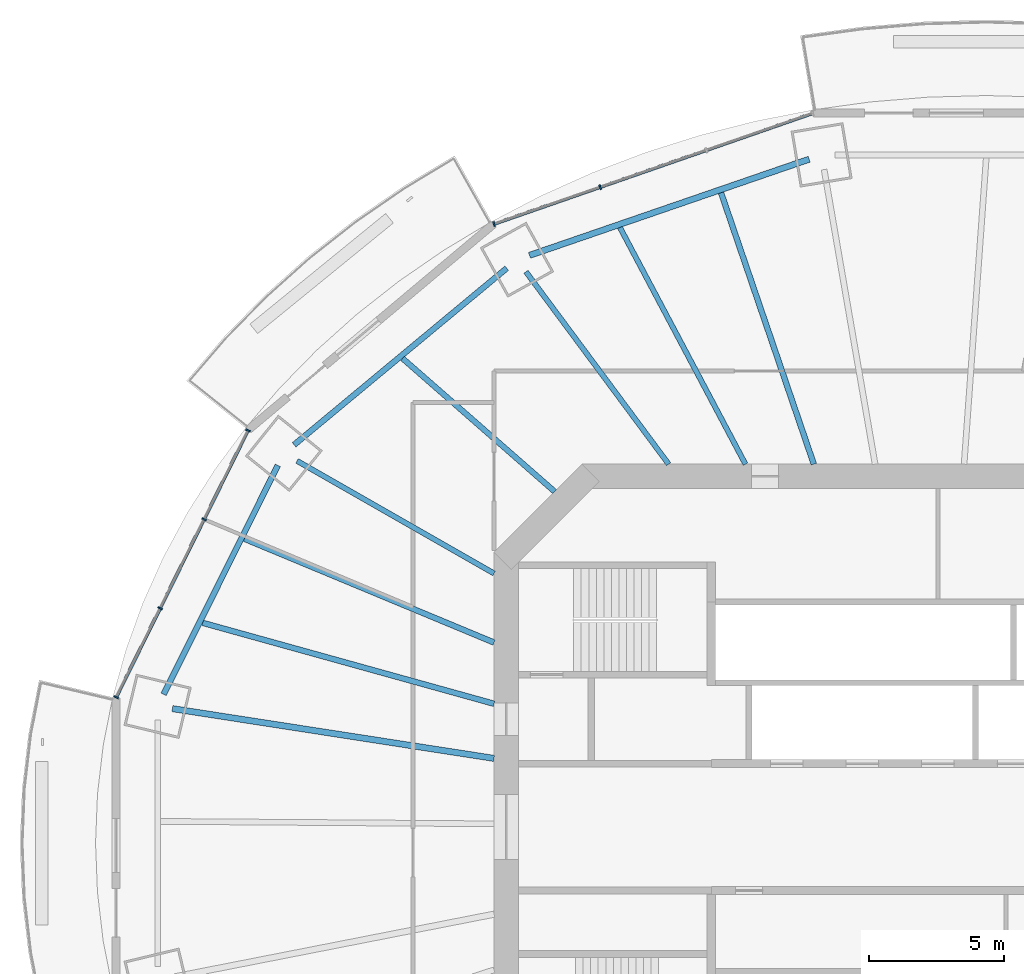
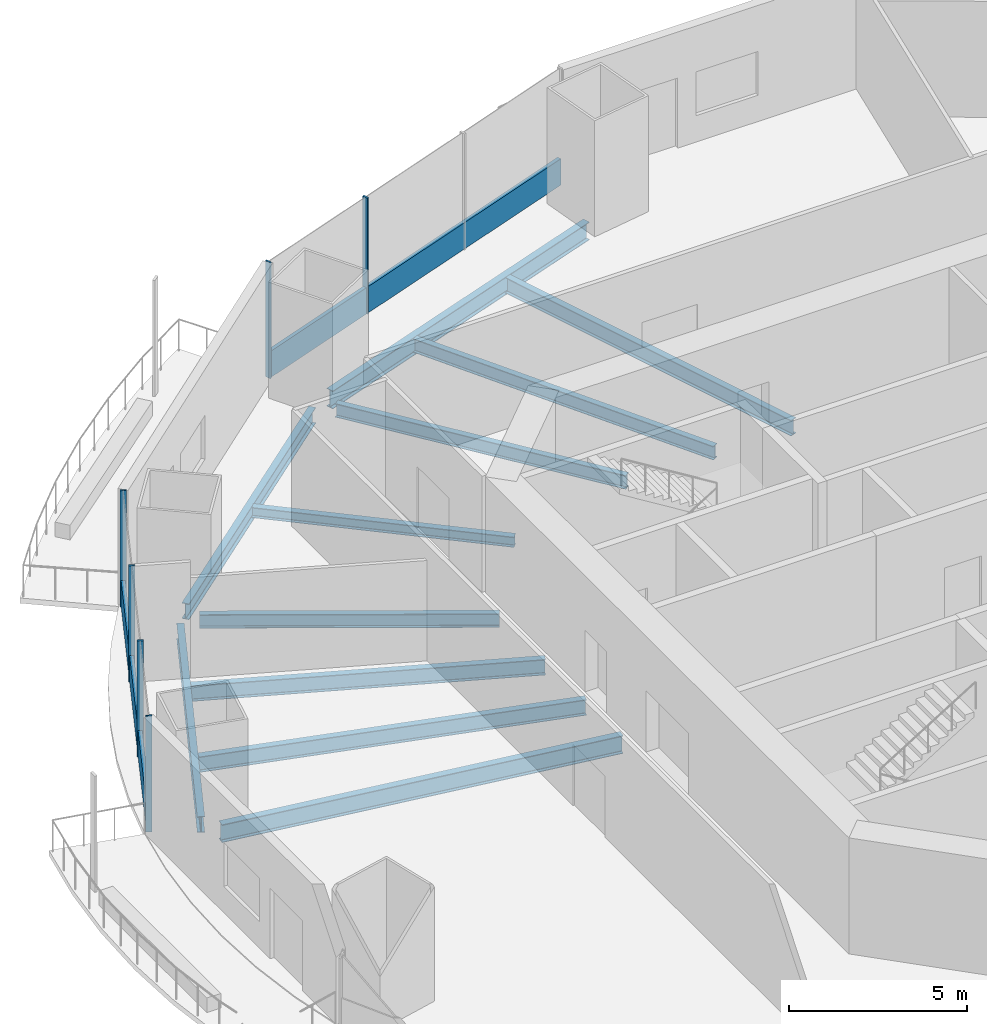
# One storey, part 6 of 21: 11 beams, 8 members, 2 elements without a shape of their own.
"""IFC4 building model written with IfcOpenShell, lengths in metres."""

from ifc_helpers import new_model, si_unit, direction, frame, origin, origin_2d, place, context, subcontext, project, spatial, rectangle, i_section, extrude, material, material_profile, profile_set, type_object, element, aggregate, save


model = new_model("IFC4")

# Units and contexts
model_context = context("Model", 3, precision=1e-05, world=origin(), true_north=direction((0.0, 1.0)))
body_context = subcontext(model_context, "Body", "Model", "MODEL_VIEW")
ifc_project = project(units=[si_unit("LENGTHUNIT", "METRE"), si_unit("AREAUNIT", "SQUARE_METRE"), si_unit("VOLUMEUNIT", "CUBIC_METRE"), si_unit("PLANEANGLEUNIT", "RADIAN"), si_unit("MASSUNIT", "GRAM", prefix="KILO")], contexts=[model_context])

# Site, building, storey
site_placement = place(None, origin())
site = spatial("IfcSite", under=ifc_project, at=site_placement, CompositionType="ELEMENT")
building_placement = place(site_placement, origin())
building = spatial("IfcBuilding", under=site, at=building_placement, Name="Marenthal Gate Tower", CompositionType="ELEMENT")
storey_placement = place(building_placement, frame((0.0, 0.0, 165.199951171875)))
storey = spatial("IfcBuildingStorey", under=building, at=storey_placement, Name="L35", CompositionType="ELEMENT", Elevation=165.199951171875)

# Curtain wall, members
ifc_material_1 = material(Name="Aluminium and glass", Category="aluminium")
curtain_wall_type = type_object("IfcCurtainWallType", Name="Curtain wall typical mid", PredefinedType="NOTDEFINED", material=ifc_material_1)
curtain_wall_1_placement = place(storey_placement, origin())
curtain_wall_1 = element("IfcCurtainWall", 1, at=curtain_wall_1_placement, inside=storey, type_object=curtain_wall_type, Name="Curtain wall L35 bay 5", PredefinedType="NOTDEFINED")
ifc_material_2 = material(Name="Aluminium", Category="aluminium")
ifc_material_profile_1 = material_profile(ifc_material_2, rectangle(XDim=0.179931640625, YDim=0.06005859375, at=origin_2d()), Name="60x180 aluminium mullion")
ifc_profile_set_1 = profile_set([ifc_material_profile_1], Name="Aluminium")
member_type_1 = type_object("IfcMemberType", Name="Mullion 60x180 typical mid", PredefinedType="MULLION", material=ifc_profile_set_1)
member_1_placement = place(storey_placement, frame((-12.51513671875, 23.718505859375, 0.0), z_axis=(0.0, 0.0, 1.0), x_axis=(0.328157600538, -0.944622987868, 0.0)))
member_1 = element("IfcMember", 2, at=member_1_placement, type_object=member_type_1, Name="Mullion L35 bay 5.3", PredefinedType="MULLION", context=body_context, shape_type="SweptSolid", body=[
    extrude(rectangle(XDim=0.179931640625, YDim=0.06005859375, at=origin_2d()), origin(), (0.0, 0.0, 1.0), 3.969970703125),
])
member_2_placement = place(storey_placement, frame((-16.44921875, 22.351806640625, 0.0), z_axis=(0.0, 0.0, 1.0), x_axis=(0.328157600538, -0.944622987868, 0.0)))
member_2 = element("IfcMember", 3, at=member_2_placement, type_object=member_type_1, Name="Mullion L35 bay 5.4", PredefinedType="MULLION", context=body_context, shape_type="SweptSolid", body=[
    extrude(rectangle(XDim=0.179931640625, YDim=0.06005859375, at=origin_2d()), origin(), (0.0, 0.0, 1.0), 3.969970703125),
])

curtain_wall_2_placement = place(storey_placement, origin())
curtain_wall_2 = element("IfcCurtainWall", 4, at=curtain_wall_2_placement, inside=storey, type_object=curtain_wall_type, Name="Curtain wall L35 bay 7", PredefinedType="NOTDEFINED")
member_3_placement = place(storey_placement, frame((-25.56787109375, 14.702392578125, 0.0), z_axis=(0.0, 0.0, 1.0), x_axis=(0.896608747182, -0.442823615536, 0.0)))
member_3 = element("IfcMember", 5, at=member_3_placement, type_object=member_type_1, Name="Mullion L35 bay 7.1", PredefinedType="MULLION", context=body_context, shape_type="SweptSolid", body=[
    extrude(rectangle(XDim=0.179931640625, YDim=0.06005859375, at=origin_2d()), origin(), (0.0, 0.0, 1.0), 3.969970703125),
])
member_4_placement = place(storey_placement, frame((-27.1962890625, 11.40478515625, 0.0), z_axis=(0.0, 0.0, 1.0), x_axis=(0.896608747182, -0.442823615536, 0.0)))
member_4 = element("IfcMember", 6, at=member_4_placement, type_object=member_type_1, Name="Mullion L35 bay 7.2", PredefinedType="MULLION", context=body_context, shape_type="SweptSolid", body=[
    extrude(rectangle(XDim=0.179931640625, YDim=0.06005859375, at=origin_2d()), origin(), (0.0, 0.0, 1.0), 3.969970703125),
])
member_5_placement = place(storey_placement, frame((-28.824951171875, 8.107421875, 0.0), z_axis=(0.0, 0.0, 1.0), x_axis=(0.896608747182, -0.442823615536, 0.0)))
member_5 = element("IfcMember", 7, at=member_5_placement, type_object=member_type_1, Name="Mullion L35 bay 7.3", PredefinedType="MULLION", context=body_context, shape_type="SweptSolid", body=[
    extrude(rectangle(XDim=0.179931640625, YDim=0.06005859375, at=origin_2d()), origin(), (0.0, 0.0, 1.0), 3.969970703125),
])
member_6_placement = place(storey_placement, frame((-30.45361328125, 4.809814453125, 0.0), z_axis=(0.0, 0.0, 1.0), x_axis=(0.896608747182, -0.442823615536, 0.0)))
member_6 = element("IfcMember", 8, at=member_6_placement, type_object=member_type_1, Name="Mullion L35 bay 7.4", PredefinedType="MULLION", context=body_context, shape_type="SweptSolid", body=[
    extrude(rectangle(XDim=0.179931640625, YDim=0.06005859375, at=origin_2d()), origin(), (0.0, 0.0, 1.0), 3.969970703125),
])

# Member
ifc_material_3 = material(Name="Aluminium", Category="aluminium")
ifc_material_profile_2 = material_profile(ifc_material_3, rectangle(XDim=0.1201171875, YDim=0.89990234375, at=origin_2d()), Name="120x900 aluminium transom")
ifc_profile_set_2 = profile_set([ifc_material_profile_2], Name="Aluminium")
member_type_2 = type_object("IfcMemberType", Name="Transom 120x900 typical mid", PredefinedType="USERDEFINED", material=ifc_profile_set_2)
member_7_placement = place(storey_placement, frame((-4.675048828125, 26.442138671875, 0.449951171875), z_axis=(-0.944620163821, -0.328165729628, 0.0), x_axis=(0.328165729628, -0.944620163821, 0.0)))
member_7 = element("IfcMember", 9, at=member_7_placement, type_object=member_type_2, Name="Transom L35 bay 5", ObjectType="TRANSOM", PredefinedType="USERDEFINED", context=body_context, shape_type="SweptSolid", body=[
    extrude(rectangle(XDim=0.1201171875, YDim=0.89990234375, at=origin_2d()), origin(), (0.0, 0.0, 1.0), 12.4345703125),
])

aggregate(curtain_wall_1, [member_1, member_2, member_7])

member_8_placement = place(storey_placement, frame((-25.5810546875, 14.675537109375, 0.449951171875), z_axis=(-0.442829775425, -0.896605704865, 0.0), x_axis=(0.896605704865, -0.442829775425, 0.0)))
member_8 = element("IfcMember", 10, at=member_8_placement, type_object=member_type_2, Name="Transom L35 bay 7", ObjectType="TRANSOM", PredefinedType="USERDEFINED", context=body_context, shape_type="SweptSolid", body=[
    extrude(rectangle(XDim=0.1201171875, YDim=0.89990234375, at=origin_2d()), origin(), (0.0, 0.0, 1.0), 10.973388671875),
])

aggregate(curtain_wall_2, [member_3, member_4, member_5, member_6, member_8])

# Beams
ifc_material_4 = material(Name="Steel S355", Category="steel")
ifc_material_profile_3 = material_profile(ifc_material_4, i_section(OverallWidth=0.205078125, OverallDepth=0.35302734375, WebThickness=0.009521484375, FlangeThickness=0.016845703125, FilletRadius=0.014892578125, at=origin_2d()), Name="W360X79")
ifc_profile_set_3 = profile_set([ifc_material_profile_3], Name="Steel S355")
beam_type_1 = type_object("IfcBeamType", Name="W360X79 beam", PredefinedType="BEAM", material=ifc_profile_set_3)
beam_1_placement = place(storey_placement, frame((-19.839599609375, 17.369140625, -0.3564453125), z_axis=(0.752394995709, -0.658712206075, 0.0), x_axis=(0.658712206075, 0.752394995709, 0.0)))
element("IfcBeam", 11, at=beam_1_placement, inside=storey, type_object=beam_type_1, Name="BM-L35-25", PredefinedType="BEAM", context=body_context, shape_type="SweptSolid", body=[
    extrude(i_section(OverallWidth=0.205078125, OverallDepth=0.35302734375, WebThickness=0.009521484375, FlangeThickness=0.016845703125, FilletRadius=0.014892578125, at=origin_2d()), origin(), (0.0, 0.0, 1.0), 7.492431640625),
])
ifc_material_5 = material(Name="Steel S355", Category="steel")
ifc_material_profile_4 = material_profile(ifc_material_5, i_section(OverallWidth=0.193115234375, OverallDepth=0.467041015625, WebThickness=0.011474609375, FlangeThickness=0.01904296875, FilletRadius=0.010009765625, at=origin_2d()), Name="W460X97")
ifc_profile_set_4 = profile_set([ifc_material_profile_4], Name="Steel S355")
beam_type_2 = type_object("IfcBeamType", Name="W460X97 beam", PredefinedType="BEAM", material=ifc_profile_set_4)
beam_2_placement = place(storey_placement, frame((-15.2666015625, 20.5791015625, -0.413330078125), z_axis=(0.595789127557, -0.80314090637, 0.0), x_axis=(0.80314090637, 0.595789127557, 0.0)))
element("IfcBeam", 12, at=beam_2_placement, inside=storey, type_object=beam_type_2, Name="BM-L35-06", PredefinedType="BEAM", context=body_context, shape_type="SweptSolid", body=[
    extrude(i_section(OverallWidth=0.193115234375, OverallDepth=0.467041015625, WebThickness=0.011474609375, FlangeThickness=0.01904296875, FilletRadius=0.010009765625, at=origin_2d()), origin(), (0.0, 0.0, 1.0), 8.876708984375),
])
beam_3_placement = place(storey_placement, frame((-23.751708984375, 13.572021484375, -0.413330078125), z_axis=(0.868246715097, -0.496132685603, 0.0), x_axis=(0.496132685603, 0.868246715097, 0.0)))
element("IfcBeam", 13, at=beam_3_placement, inside=storey, type_object=beam_type_2, Name="BM-L35-07", PredefinedType="BEAM", context=body_context, shape_type="SweptSolid", body=[
    extrude(i_section(OverallWidth=0.193115234375, OverallDepth=0.467041015625, WebThickness=0.011474609375, FlangeThickness=0.01904296875, FilletRadius=0.010009765625, at=origin_2d()), origin(), (0.0, 0.0, 1.0), 8.40966796875),
])
beam_4_placement = place(storey_placement, frame((-11.7822265625, 22.220458984375, -0.413330078125), z_axis=(0.468452605339, -0.883488628422, 0.0), x_axis=(0.883488628422, 0.468452605339, 0.0)))
element("IfcBeam", 14, at=beam_4_placement, inside=storey, type_object=beam_type_2, Name="BM-L35-24", PredefinedType="BEAM", context=body_context, shape_type="SweptSolid", body=[
    extrude(i_section(OverallWidth=0.193115234375, OverallDepth=0.467041015625, WebThickness=0.011474609375, FlangeThickness=0.01904296875, FilletRadius=0.010009765625, at=origin_2d()), origin(), (0.0, 0.0, 1.0), 9.92724609375),
])
ifc_material_6 = material(Name="Steel S355", Category="steel")
ifc_material_profile_5 = material_profile(ifc_material_6, i_section(OverallWidth=0.2099609375, OverallDepth=0.535888671875, WebThickness=0.010986328125, FlangeThickness=0.017333984375, FilletRadius=0.0126953125, at=origin_2d()), Name="W530X101")
ifc_profile_set_5 = profile_set([ifc_material_profile_5], Name="Steel S355")
beam_type_3 = type_object("IfcBeamType", Name="W530X101 beam", PredefinedType="BEAM", material=ifc_profile_set_5)
beam_5_placement = place(storey_placement, frame((-8.036376953125, 23.50927734375, -0.447998046875), z_axis=(0.323466388844, -0.946239660598, 0.0), x_axis=(0.946239660598, 0.323466388844, 0.0)))
element("IfcBeam", 15, at=beam_5_placement, inside=storey, type_object=beam_type_3, Name="BM-L35-23", PredefinedType="BEAM", context=body_context, shape_type="SweptSolid", body=[
    extrude(i_section(OverallWidth=0.2099609375, OverallDepth=0.535888671875, WebThickness=0.010986328125, FlangeThickness=0.017333984375, FilletRadius=0.0126953125, at=origin_2d()), origin(), (0.0, 0.0, 1.0), 10.630859375),
])
beam_6_placement = place(storey_placement, frame((-25.701416015625, 10.68505859375, -0.447998046875), z_axis=(0.923380867193, -0.38388510534, 0.0), x_axis=(0.38388510534, 0.923380867193, 0.0)))
element("IfcBeam", 16, at=beam_6_placement, inside=storey, type_object=beam_type_3, Name="BM-L35-26", PredefinedType="BEAM", context=body_context, shape_type="SweptSolid", body=[
    extrude(i_section(OverallWidth=0.2099609375, OverallDepth=0.535888671875, WebThickness=0.010986328125, FlangeThickness=0.017333984375, FilletRadius=0.0126953125, at=origin_2d()), origin(), (0.0, 0.0, 1.0), 10.01904296875),
])
beam_7_placement = place(storey_placement, frame((-27.25439453125, 7.5712890625, -0.447998046875), z_axis=(0.963512606845, -0.26766295308, 0.0), x_axis=(0.26766295308, 0.963512606845, 0.0)))
element("IfcBeam", 17, at=beam_7_placement, inside=storey, type_object=beam_type_3, Name="BM-L35-27", PredefinedType="BEAM", context=body_context, shape_type="SweptSolid", body=[
    extrude(i_section(OverallWidth=0.2099609375, OverallDepth=0.535888671875, WebThickness=0.010986328125, FlangeThickness=0.017333984375, FilletRadius=0.0126953125, at=origin_2d()), origin(), (0.0, 0.0, 1.0), 11.213623046875),
])
ifc_material_7 = material(Name="Steel S355", Category="steel")
ifc_material_profile_6 = material_profile(ifc_material_7, i_section(OverallWidth=0.2119140625, OverallDepth=0.5439453125, WebThickness=0.01318359375, FlangeThickness=0.021240234375, FilletRadius=0.0126953125, at=origin_2d()), Name="W530X123")
ifc_profile_set_6 = profile_set([ifc_material_profile_6], Name="Steel S355")
beam_type_4 = type_object("IfcBeamType", Name="W530X123 beam", PredefinedType="BEAM", material=ifc_profile_set_6)
beam_8_placement = place(storey_placement, frame((-15.978515625, 20.713623046875, -0.451904296875), z_axis=(-0.769269111774, -0.638924904563, 0.0), x_axis=(0.638924904563, -0.769269111774, 0.0)))
element("IfcBeam", 18, at=beam_8_placement, inside=storey, type_object=beam_type_4, Name="BM-L35-46", PredefinedType="BEAM", context=body_context, shape_type="SweptSolid", body=[
    extrude(i_section(OverallWidth=0.2119140625, OverallDepth=0.5439453125, WebThickness=0.01318359375, FlangeThickness=0.021240234375, FilletRadius=0.0126953125, at=origin_2d()), origin(), (0.0, 0.0, 1.0), 10.24560546875),
])
beam_9_placement = place(storey_placement, frame((-24.462890625, 13.406005859375, -0.451904296875), z_axis=(-0.446296506962, -0.894885147868, 0.0), x_axis=(0.894885147868, -0.446296506962, 0.0)))
element("IfcBeam", 19, at=beam_9_placement, inside=storey, type_object=beam_type_4, Name="BM-L35-47", PredefinedType="BEAM", context=body_context, shape_type="SweptSolid", body=[
    extrude(i_section(OverallWidth=0.2119140625, OverallDepth=0.5439453125, WebThickness=0.01318359375, FlangeThickness=0.021240234375, FilletRadius=0.0126953125, at=origin_2d()), origin(), (0.0, 0.0, 1.0), 9.4794921875),
])
ifc_material_8 = material(Name="Steel S355", Category="steel")
ifc_material_profile_7 = material_profile(ifc_material_8, i_section(OverallWidth=0.22900390625, OverallDepth=0.612060546875, WebThickness=0.011962890625, FlangeThickness=0.01953125, FilletRadius=0.0126953125, at=origin_2d()), Name="W610X125")
ifc_profile_set_7 = profile_set([ifc_material_profile_7], Name="Steel S355")
beam_type_5 = type_object("IfcBeamType", Name="W610X125 beam", PredefinedType="BEAM", material=ifc_profile_set_7)
beam_10_placement = place(storey_placement, frame((-28.3701171875, 4.39013671875, -0.48583984375), z_axis=(0.988236058897, -0.152936234737, 0.0), x_axis=(0.152936234737, 0.988236058897, 0.0)))
element("IfcBeam", 20, at=beam_10_placement, inside=storey, type_object=beam_type_5, Name="BM-L35-08", PredefinedType="BEAM", context=body_context, shape_type="SweptSolid", body=[
    extrude(i_section(OverallWidth=0.22900390625, OverallDepth=0.612060546875, WebThickness=0.011962890625, FlangeThickness=0.01953125, FilletRadius=0.0126953125, at=origin_2d()), origin(), (0.0, 0.0, 1.0), 12.06201171875),
])
beam_11_placement = place(storey_placement, frame((-4.772216796875, 24.753173828125, -0.48583984375), z_axis=(-0.945603539449, -0.325321296845, 0.0), x_axis=(0.325321296845, -0.945603539449, 0.0)))
element("IfcBeam", 21, at=beam_11_placement, inside=storey, type_object=beam_type_5, Name="BM-L35-45", PredefinedType="BEAM", context=body_context, shape_type="SweptSolid", body=[
    extrude(i_section(OverallWidth=0.22900390625, OverallDepth=0.612060546875, WebThickness=0.011962890625, FlangeThickness=0.01953125, FilletRadius=0.0126953125, at=origin_2d()), origin(), (0.0, 0.0, 1.0), 10.96044921875),
])

save(model, "model.ifc")
